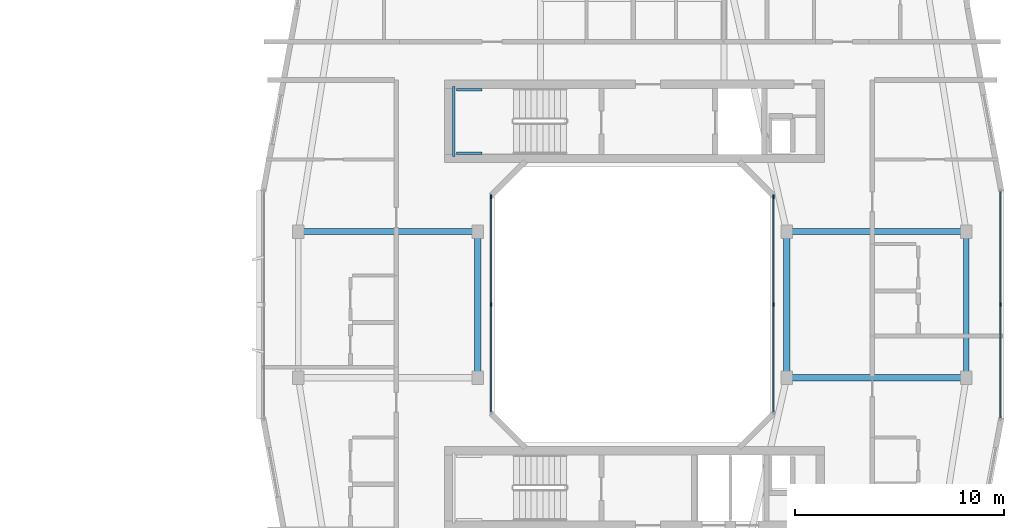
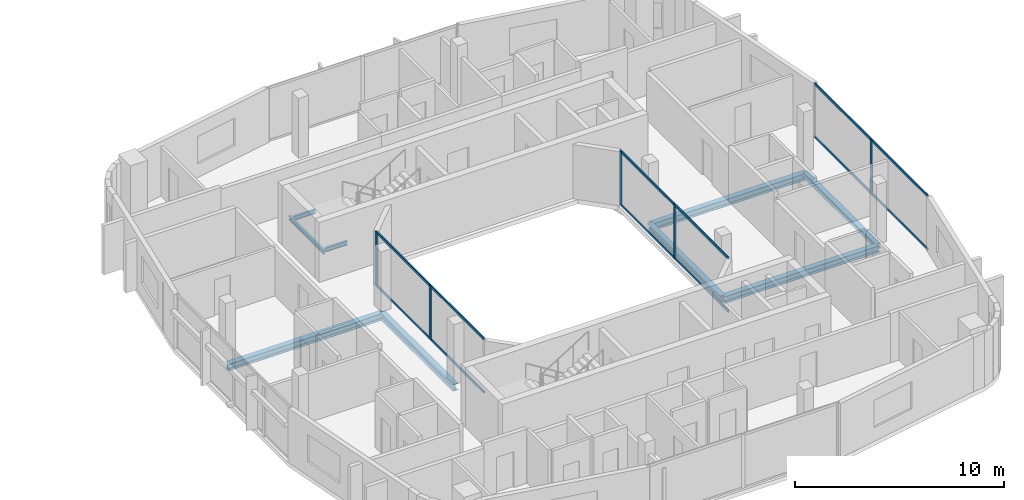
# One storey, part 9 of 26: 17 members, 9 beams, 3 elements without a shape of their own.
"""IFC4 building model written with IfcOpenShell, lengths in metres."""

from ifc_helpers import new_model, si_unit, derived_unit, direction, frame, origin, origin_2d, place, context, subcontext, project, spatial, rectangle, i_section, extrude, material, layer, layer_set, material_profile, profile_set, type_object, element, aggregate, save


model = new_model("IFC4")

# Units and contexts
model_context = context("Model", 3, precision=1e-05, world=origin(), true_north=direction((0.0, 1.0)))
body_context = subcontext(model_context, "Body", "Model", "MODEL_VIEW")
ifc_project = project(units=[si_unit("LENGTHUNIT", "METRE"), si_unit("AREAUNIT", "SQUARE_METRE"), si_unit("VOLUMEUNIT", "CUBIC_METRE"), si_unit("PLANEANGLEUNIT", "RADIAN"), si_unit("MASSUNIT", "GRAM", prefix="KILO"), derived_unit("THERMALTRANSMITTANCEUNIT", [(si_unit("POWERUNIT", "WATT"), 1), (si_unit("LENGTHUNIT", "METRE"), -2), (si_unit("THERMODYNAMICTEMPERATUREUNIT", "KELVIN"), -1)])], contexts=[model_context])

# Site, building, storey
site_placement = place(None, origin())
site = spatial("IfcSite", under=ifc_project, at=site_placement, CompositionType="ELEMENT")
building_placement = place(site_placement, origin())
building = spatial("IfcBuilding", under=site, at=building_placement, Name="Kivonza Crest Hotel", CompositionType="ELEMENT")
storey_placement = place(building_placement, frame((0.0, 0.0, 116.0)))
storey = spatial("IfcBuildingStorey", under=building, at=storey_placement, Name="L31", CompositionType="ELEMENT", Elevation=116.0)

# Beams
ifc_material_1 = material(Name="Steel S355", Category="steel")
ifc_material_profile_1 = material_profile(ifc_material_1, i_section(OverallWidth=0.280029296875, OverallDepth=0.280029296875, WebThickness=0.010498046875, FlangeThickness=0.01806640625, FilletRadius=0.02392578125, at=origin_2d()), Name="HEB 280")
ifc_profile_set_1 = profile_set([ifc_material_profile_1], Name="Steel S355")
beam_type_1 = type_object("IfcBeamType", Name="BM-HEB280", PredefinedType="SPANDREL", material=ifc_profile_set_1)
beam_1_placement = place(storey_placement, frame((93.0, 21.5, -0.389892578125), z_axis=(0.0, 1.0, 0.0), x_axis=(-1.0, 0.0, 0.0)))
element("IfcBeam", 1, at=beam_1_placement, inside=storey, type_object=beam_type_1, Name="Companion Tower T2 L31 perimeter spandrel E1-E2", PredefinedType="SPANDREL", context=body_context, shape_type="SweptSolid", body=[
    extrude(i_section(OverallWidth=0.280029296875, OverallDepth=0.280029296875, WebThickness=0.010498046875, FlangeThickness=0.01806640625, FilletRadius=0.02392578125, at=origin_2d()), origin(), (0.0, 0.0, 1.0), 7.0),
])
ifc_material_profile_2 = material_profile(ifc_material_1, i_section(OverallWidth=0.300048828125, OverallDepth=0.39990234375, WebThickness=0.013427734375, FlangeThickness=0.02392578125, FilletRadius=0.027099609375, at=origin_2d()), Name="HEB 400")
ifc_profile_set_2 = profile_set([ifc_material_profile_2], Name="Steel S355")
beam_type_2 = type_object("IfcBeamType", Name="BM-HEB400", PredefinedType="BEAM", material=ifc_profile_set_2)
beam_2_placement = place(storey_placement, frame((61.0, 28.5, -0.449951171875), z_axis=(1.0, 0.0, 0.0), x_axis=(0.0, 1.0, 0.0)))
element("IfcBeam", 2, at=beam_2_placement, inside=storey, type_object=beam_type_2, Name="Companion Tower T2 L31 girder W2-WL2", PredefinedType="BEAM", context=body_context, shape_type="SweptSolid", body=[
    extrude(i_section(OverallWidth=0.300048828125, OverallDepth=0.39990234375, WebThickness=0.013427734375, FlangeThickness=0.02392578125, FilletRadius=0.027099609375, at=origin_2d()), origin(), (0.0, 0.0, 1.0), 8.60009765625),
])
beam_3_placement = place(storey_placement, frame((69.60009765625, 21.5, -0.449951171875), z_axis=(0.0, 1.0, 0.0), x_axis=(-1.0, 0.0, 0.0)))
element("IfcBeam", 3, at=beam_3_placement, inside=storey, type_object=beam_type_2, Name="Companion Tower T2 L31 girder WL1-WL2", PredefinedType="BEAM", context=body_context, shape_type="SweptSolid", body=[
    extrude(i_section(OverallWidth=0.300048828125, OverallDepth=0.39990234375, WebThickness=0.013427734375, FlangeThickness=0.02392578125, FilletRadius=0.027099609375, at=origin_2d()), origin(), (0.0, 0.0, 1.0), 7.0),
])
for number, where, z_axis, x_axis, name in (
    (4, (84.39990234375, 21.5, -0.449951171875), (1.0, 0.0, 0.0), (0.0, 1.0, 0.0), "Companion Tower T2 L31 girder WR1-E1"),
    (5, (84.39990234375, 28.5, -0.449951171875), (1.0, 0.0, 0.0), (0.0, 1.0, 0.0), "Companion Tower T2 L31 girder WR2-E2"),
):
    element("IfcBeam", number, at=place(storey_placement, frame(where, z_axis=z_axis, x_axis=x_axis)), inside=storey, type_object=beam_type_2, Name=name, PredefinedType="BEAM", context=body_context, shape_type="SweptSolid", body=[
        extrude(i_section(OverallWidth=0.300048828125, OverallDepth=0.39990234375, WebThickness=0.013427734375, FlangeThickness=0.02392578125, FilletRadius=0.027099609375, at=origin_2d()), origin(), (0.0, 0.0, 1.0), 8.60009765625),
    ])
beam_4_placement = place(storey_placement, frame((84.39990234375, 21.5, -0.449951171875), z_axis=(0.0, 1.0, 0.0), x_axis=(-1.0, 0.0, 0.0)))
element("IfcBeam", 6, at=beam_4_placement, inside=storey, type_object=beam_type_2, Name="Companion Tower T2 L31 girder WR1-WR2", PredefinedType="BEAM", context=body_context, shape_type="SweptSolid", body=[
    extrude(i_section(OverallWidth=0.300048828125, OverallDepth=0.39990234375, WebThickness=0.013427734375, FlangeThickness=0.02392578125, FilletRadius=0.027099609375, at=origin_2d()), origin(), (0.0, 0.0, 1.0), 7.0),
])
ifc_material_profile_3 = material_profile(ifc_material_1, i_section(OverallWidth=0.1201171875, OverallDepth=0.239990234375, WebThickness=0.006103515625, FlangeThickness=0.009765625, FilletRadius=0.014892578125, at=origin_2d()), Name="IPE 240")
ifc_profile_set_3 = profile_set([ifc_material_profile_3], Name="Steel S355")
beam_type_3 = type_object("IfcBeamType", Name="BM-LLDG-240", PredefinedType="BEAM", material=ifc_profile_set_3)
beam_5_placement = place(storey_placement, frame((68.4599609375, 32.10009765625, 1.429931640625), z_axis=(0.0, 1.0, 0.0), x_axis=(-1.0, 0.0, 0.0)))
element("IfcBeam", 7, at=beam_5_placement, inside=storey, type_object=beam_type_3, Name="Stair ST-T2-N L31 West landing corbel", PredefinedType="BEAM", context=body_context, shape_type="SweptSolid", body=[
    extrude(i_section(OverallWidth=0.1201171875, OverallDepth=0.239990234375, WebThickness=0.006103515625, FlangeThickness=0.009765625, FilletRadius=0.014892578125, at=origin_2d()), origin(), (0.0, 0.0, 1.0), 3.35986328125),
])
for number, where, z_axis, x_axis, name in (
    (8, (68.590087890625, 32.260009765625, 1.429931640625), (1.0, 0.0, 0.0), (0.0, 1.0, 0.0), "Stair ST-T2-N L31 South landing corbel"),
    (9, (68.590087890625, 35.300048828125, 1.429931640625), (1.0, 0.0, 0.0), (0.0, 1.0, 0.0), "Stair ST-T2-N L31 North landing corbel"),
):
    element("IfcBeam", number, at=place(storey_placement, frame(where, z_axis=z_axis, x_axis=x_axis)), inside=storey, type_object=beam_type_3, Name=name, PredefinedType="BEAM", context=body_context, shape_type="SweptSolid", body=[
        extrude(i_section(OverallWidth=0.1201171875, OverallDepth=0.239990234375, WebThickness=0.006103515625, FlangeThickness=0.009765625, FilletRadius=0.014892578125, at=origin_2d()), origin(), (0.0, 0.0, 1.0), 1.2099609375),
    ])

# Curtain wall, member
ifc_material_2 = material(Name="Anodised bronze aluminium and low-E double glazing", Category="aluminium")
ifc_layer_1 = layer(ifc_material_2, 0.179931640625)
ifc_layer_set_1 = layer_set([ifc_layer_1], Name="Anodised bronze aluminium and low-E double glazing")
curtain_wall_type_1 = type_object("IfcCurtainWallType", Name="CW-SYS-4", PredefinedType="NOTDEFINED", material=ifc_layer_set_1)
curtain_wall_1_placement = place(storey_placement, origin())
curtain_wall_1 = element("IfcCurtainWall", 10, at=curtain_wall_1_placement, inside=storey, type_object=curtain_wall_type_1, Name="L31 unitised curtain wall CW-T2-L31-17", PredefinedType="NOTDEFINED")
ifc_material_3 = material(Name="Anodised bronze aluminium", Category="aluminium")
ifc_material_profile_4 = material_profile(ifc_material_3, rectangle(XDim=0.06494140625, YDim=0.179931640625, at=origin_2d()), Name="CW-M 65x180")
ifc_profile_set_4 = profile_set([ifc_material_profile_4], Name="Anodised bronze aluminium")
member_type_1 = type_object("IfcMemberType", Name="CW-MUL-65x180", PredefinedType="MULLION", material=ifc_profile_set_4)
member_1_placement = place(storey_placement, frame((94.639892578125, 25.0, 0.0), z_axis=(0.0, 0.0, 1.0), x_axis=(-1.0, 0.0, 0.0)))
member_1 = element("IfcMember", 11, at=member_1_placement, type_object=member_type_1, Name="CW-4 mullion 2", PredefinedType="MULLION", context=body_context, shape_type="SweptSolid", body=[
    extrude(rectangle(XDim=0.06494140625, YDim=0.179931640625, at=origin_2d()), origin(), (0.0, 0.0, 1.0), 3.179931640625),
])

# Curtain wall, members
ifc_layer_2 = layer(ifc_material_2, 0.159912109375)
ifc_layer_set_2 = layer_set([ifc_layer_2], Name="Anodised bronze aluminium and low-E double glazing")
curtain_wall_type_2 = type_object("IfcCurtainWallType", Name="CW-SYS-5", PredefinedType="NOTDEFINED", material=ifc_layer_set_2)
curtain_wall_2_placement = place(storey_placement, origin())
curtain_wall_2 = element("IfcCurtainWall", 12, at=curtain_wall_2_placement, inside=storey, type_object=curtain_wall_type_2, Name="L31 unitised curtain wall CW-WELL-T2-L31-3", PredefinedType="NOTDEFINED")
member_2_placement = place(storey_placement, frame((83.760009765625, 25.0, 0.0), z_axis=(0.0, 0.0, 1.0), x_axis=(-1.0, 0.0, 0.0)))
member_2 = element("IfcMember", 13, at=member_2_placement, type_object=member_type_1, Name="CW-5 mullion 2", PredefinedType="MULLION", context=body_context, shape_type="SweptSolid", body=[
    extrude(rectangle(XDim=0.06494140625, YDim=0.179931640625, at=origin_2d()), origin(), (0.0, 0.0, 1.0), 3.179931640625),
])
member_3_placement = place(storey_placement, frame((83.760009765625, 30.16748046875, 0.0), z_axis=(0.0, 0.0, 1.0), x_axis=(-1.0, 0.0, 0.0)))
member_3 = element("IfcMember", 14, at=member_3_placement, type_object=member_type_1, Name="CW-5 mullion 3", PredefinedType="MULLION", context=body_context, shape_type="SweptSolid", body=[
    extrude(rectangle(XDim=0.06494140625, YDim=0.179931640625, at=origin_2d()), origin(), (0.0, 0.0, 1.0), 3.179931640625),
])

curtain_wall_3_placement = place(storey_placement, origin())
curtain_wall_3 = element("IfcCurtainWall", 15, at=curtain_wall_3_placement, inside=storey, type_object=curtain_wall_type_2, Name="L31 unitised curtain wall CW-WELL-T2-L31-7", PredefinedType="NOTDEFINED")
member_4_placement = place(storey_placement, frame((70.239990234375, 30.16748046875, 0.0), z_axis=(0.0, 0.0, 1.0), x_axis=(1.0, 0.0, 0.0)))
member_4 = element("IfcMember", 16, at=member_4_placement, type_object=member_type_1, Name="CW-5 mullion 1", PredefinedType="MULLION", context=body_context, shape_type="SweptSolid", body=[
    extrude(rectangle(XDim=0.06494140625, YDim=0.179931640625, at=origin_2d()), origin(), (0.0, 0.0, 1.0), 3.179931640625),
])
member_5_placement = place(storey_placement, frame((70.239990234375, 25.0, 0.0), z_axis=(0.0, 0.0, 1.0), x_axis=(1.0, 0.0, 0.0)))
member_5 = element("IfcMember", 17, at=member_5_placement, type_object=member_type_1, Name="CW-5 mullion 2", PredefinedType="MULLION", context=body_context, shape_type="SweptSolid", body=[
    extrude(rectangle(XDim=0.06494140625, YDim=0.179931640625, at=origin_2d()), origin(), (0.0, 0.0, 1.0), 3.179931640625),
])

# Member
ifc_material_profile_5 = material_profile(ifc_material_3, rectangle(XDim=0.06494140625, YDim=0.139892578125, at=origin_2d()), Name="CW-T 65x140")
ifc_profile_set_5 = profile_set([ifc_material_profile_5], Name="Anodised bronze aluminium")
member_type_2 = type_object("IfcMemberType", Name="CW-TRN-65x140", PredefinedType="USERDEFINED", material=ifc_profile_set_5)
member_6_placement = place(storey_placement, frame((94.639892578125, 19.5849609375, 0.032470703125), z_axis=(0.0, 1.0, 0.0), x_axis=(-1.0, 0.0, 0.0)))
member_6 = element("IfcMember", 18, at=member_6_placement, type_object=member_type_2, Name="CW-4 transom 1.1", ObjectType="TRANSOM", PredefinedType="USERDEFINED", context=body_context, shape_type="SweptSolid", body=[
    extrude(rectangle(XDim=0.06494140625, YDim=0.139892578125, at=origin_2d()), origin(), (0.0, 0.0, 1.0), 5.382568359375),
])

member_7_placement = place(storey_placement, frame((94.639892578125, 19.5849609375, 3.1474609375), z_axis=(0.0, 1.0, 0.0), x_axis=(-1.0, 0.0, 0.0)))
member_7 = element("IfcMember", 19, at=member_7_placement, type_object=member_type_2, Name="CW-4 transom 1.2", ObjectType="TRANSOM", PredefinedType="USERDEFINED", context=body_context, shape_type="SweptSolid", body=[
    extrude(rectangle(XDim=0.06494140625, YDim=0.139892578125, at=origin_2d()), origin(), (0.0, 0.0, 1.0), 5.382568359375),
])

member_8_placement = place(storey_placement, frame((94.639892578125, 25.032470703125, 0.032470703125), z_axis=(0.0, 1.0, 0.0), x_axis=(-1.0, 0.0, 0.0)))
member_8 = element("IfcMember", 20, at=member_8_placement, type_object=member_type_2, Name="CW-4 transom 2.1", ObjectType="TRANSOM", PredefinedType="USERDEFINED", context=body_context, shape_type="SweptSolid", body=[
    extrude(rectangle(XDim=0.06494140625, YDim=0.139892578125, at=origin_2d()), origin(), (0.0, 0.0, 1.0), 5.382568359375),
])

member_9_placement = place(storey_placement, frame((94.639892578125, 25.032470703125, 3.1474609375), z_axis=(0.0, 1.0, 0.0), x_axis=(-1.0, 0.0, 0.0)))
member_9 = element("IfcMember", 21, at=member_9_placement, type_object=member_type_2, Name="CW-4 transom 2.2", ObjectType="TRANSOM", PredefinedType="USERDEFINED", context=body_context, shape_type="SweptSolid", body=[
    extrude(rectangle(XDim=0.06494140625, YDim=0.139892578125, at=origin_2d()), origin(), (0.0, 0.0, 1.0), 5.382568359375),
])

aggregate(curtain_wall_1, [member_1, member_6, member_7, member_8, member_9])

member_10_placement = place(storey_placement, frame((83.760009765625, 19.864990234375, 0.032470703125), z_axis=(0.0, 1.0, 0.0), x_axis=(-1.0, 0.0, 0.0)))
member_10 = element("IfcMember", 22, at=member_10_placement, type_object=member_type_2, Name="CW-5 transom 1.1", ObjectType="TRANSOM", PredefinedType="USERDEFINED", context=body_context, shape_type="SweptSolid", body=[
    extrude(rectangle(XDim=0.06494140625, YDim=0.139892578125, at=origin_2d()), origin(), (0.0, 0.0, 1.0), 5.1025390625),
])

member_11_placement = place(storey_placement, frame((83.760009765625, 19.864990234375, 3.1474609375), z_axis=(0.0, 1.0, 0.0), x_axis=(-1.0, 0.0, 0.0)))
member_11 = element("IfcMember", 23, at=member_11_placement, type_object=member_type_2, Name="CW-5 transom 1.2", ObjectType="TRANSOM", PredefinedType="USERDEFINED", context=body_context, shape_type="SweptSolid", body=[
    extrude(rectangle(XDim=0.06494140625, YDim=0.139892578125, at=origin_2d()), origin(), (0.0, 0.0, 1.0), 5.1025390625),
])

member_12_placement = place(storey_placement, frame((83.760009765625, 25.032470703125, 0.032470703125), z_axis=(0.0, 1.0, 0.0), x_axis=(-1.0, 0.0, 0.0)))
member_12 = element("IfcMember", 24, at=member_12_placement, type_object=member_type_2, Name="CW-5 transom 2.1", ObjectType="TRANSOM", PredefinedType="USERDEFINED", context=body_context, shape_type="SweptSolid", body=[
    extrude(rectangle(XDim=0.06494140625, YDim=0.139892578125, at=origin_2d()), origin(), (0.0, 0.0, 1.0), 5.1025390625),
])

member_13_placement = place(storey_placement, frame((83.760009765625, 25.032470703125, 3.1474609375), z_axis=(0.0, 1.0, 0.0), x_axis=(-1.0, 0.0, 0.0)))
member_13 = element("IfcMember", 25, at=member_13_placement, type_object=member_type_2, Name="CW-5 transom 2.2", ObjectType="TRANSOM", PredefinedType="USERDEFINED", context=body_context, shape_type="SweptSolid", body=[
    extrude(rectangle(XDim=0.06494140625, YDim=0.139892578125, at=origin_2d()), origin(), (0.0, 0.0, 1.0), 5.1025390625),
])

aggregate(curtain_wall_2, [member_2, member_3, member_10, member_11, member_12, member_13])

member_14_placement = place(storey_placement, frame((70.239990234375, 30.135009765625, 0.032470703125), z_axis=(0.0, -1.0, 0.0), x_axis=(1.0, 0.0, 0.0)))
member_14 = element("IfcMember", 26, at=member_14_placement, type_object=member_type_2, Name="CW-5 transom 1.1", ObjectType="TRANSOM", PredefinedType="USERDEFINED", context=body_context, shape_type="SweptSolid", body=[
    extrude(rectangle(XDim=0.06494140625, YDim=0.139892578125, at=origin_2d()), origin(), (0.0, 0.0, 1.0), 5.1025390625),
])

member_15_placement = place(storey_placement, frame((70.239990234375, 30.135009765625, 3.1474609375), z_axis=(0.0, -1.0, 0.0), x_axis=(1.0, 0.0, 0.0)))
member_15 = element("IfcMember", 27, at=member_15_placement, type_object=member_type_2, Name="CW-5 transom 1.2", ObjectType="TRANSOM", PredefinedType="USERDEFINED", context=body_context, shape_type="SweptSolid", body=[
    extrude(rectangle(XDim=0.06494140625, YDim=0.139892578125, at=origin_2d()), origin(), (0.0, 0.0, 1.0), 5.1025390625),
])

member_16_placement = place(storey_placement, frame((70.239990234375, 24.967529296875, 0.032470703125), z_axis=(0.0, -1.0, 0.0), x_axis=(1.0, 0.0, 0.0)))
member_16 = element("IfcMember", 28, at=member_16_placement, type_object=member_type_2, Name="CW-5 transom 2.1", ObjectType="TRANSOM", PredefinedType="USERDEFINED", context=body_context, shape_type="SweptSolid", body=[
    extrude(rectangle(XDim=0.06494140625, YDim=0.139892578125, at=origin_2d()), origin(), (0.0, 0.0, 1.0), 5.1025390625),
])

member_17_placement = place(storey_placement, frame((70.239990234375, 24.967529296875, 3.1474609375), z_axis=(0.0, -1.0, 0.0), x_axis=(1.0, 0.0, 0.0)))
member_17 = element("IfcMember", 29, at=member_17_placement, type_object=member_type_2, Name="CW-5 transom 2.2", ObjectType="TRANSOM", PredefinedType="USERDEFINED", context=body_context, shape_type="SweptSolid", body=[
    extrude(rectangle(XDim=0.06494140625, YDim=0.139892578125, at=origin_2d()), origin(), (0.0, 0.0, 1.0), 5.1025390625),
])

aggregate(curtain_wall_3, [member_4, member_5, member_14, member_15, member_16, member_17])

save(model, "model.ifc")
